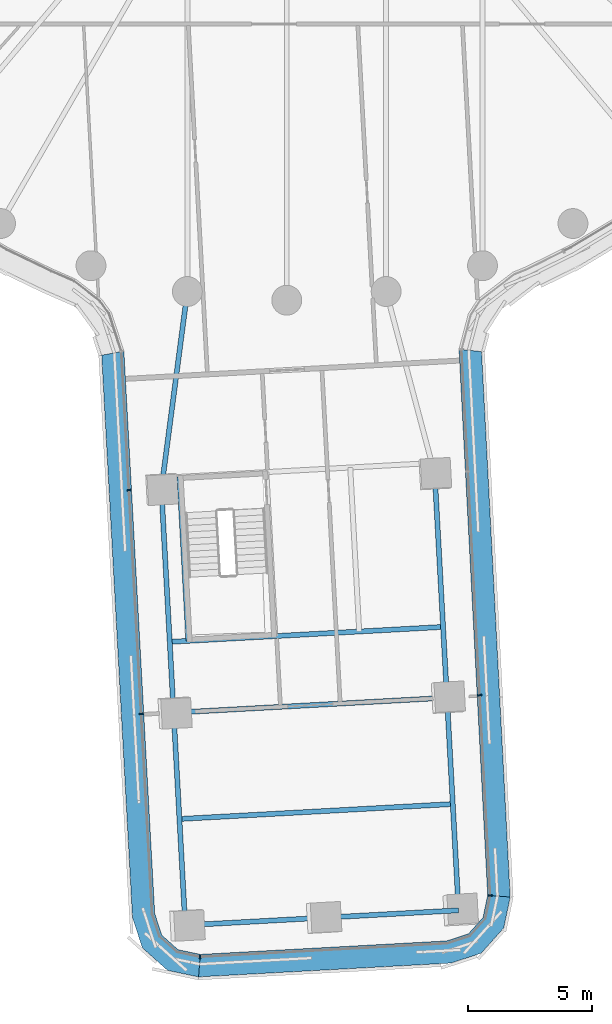
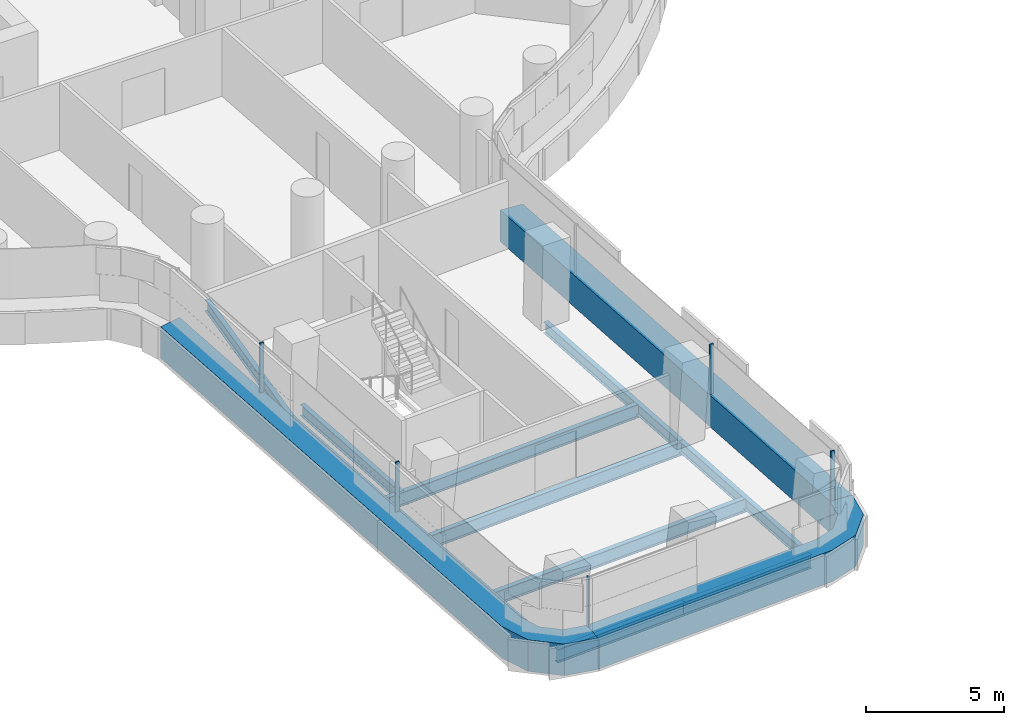
# One storey, part 2 of 31: 11 beams, 8 members, 3 elements without a shape of their own.
"""IFC4 building model written with IfcOpenShell, lengths in metres."""

from ifc_helpers import new_model, si_unit, direction, frame, origin, origin_2d, place, context, subcontext, project, spatial, polyline, rectangle, i_section, outline, extrude, material, layer, layer_set, material_profile, profile_set, type_object, element, aggregate, save


model = new_model("IFC4")

# Units and contexts
model_context = context("Model", 3, precision=1e-05, world=origin(), true_north=direction((0.0, 1.0)))
body_context = subcontext(model_context, "Body", "Model", "MODEL_VIEW")
ifc_project = project(units=[si_unit("LENGTHUNIT", "METRE"), si_unit("AREAUNIT", "SQUARE_METRE"), si_unit("VOLUMEUNIT", "CUBIC_METRE"), si_unit("PLANEANGLEUNIT", "RADIAN"), si_unit("MASSUNIT", "GRAM", prefix="KILO")], contexts=[model_context])

# Site, building, storey
site_placement = place(None, origin())
site = spatial("IfcSite", under=ifc_project, at=site_placement, CompositionType="ELEMENT")
building_placement = place(site_placement, origin())
building = spatial("IfcBuilding", under=site, at=building_placement, Name="Tamarind Cross Interchange Tower", CompositionType="ELEMENT")
storey_placement = place(building_placement, frame((0.0, 0.0, 45.25)))
storey = spatial("IfcBuildingStorey", under=building, at=storey_placement, Name="L09", CompositionType="ELEMENT", Elevation=45.25)

# Beams
ifc_material_1 = material(Name="Steel Q355B", Category="steel")
ifc_material_profile_1 = material_profile(ifc_material_1, i_section(OverallWidth=0.198974609375, OverallDepth=0.49609375, WebThickness=0.009033203125, FlangeThickness=0.013916015625, FilletRadius=0.012939453125, at=origin_2d()), Name="HN 496x199x9x14")
ifc_profile_set_1 = profile_set([ifc_material_profile_1], Name="Steel Q355B")
beam_type_1 = type_object("IfcBeamType", Name="Composite beam HN 496x199x9x14 Q355B", PredefinedType="BEAM", material=ifc_profile_set_1)
beam_1_placement = place(storey_placement, frame((-4.078125, -48.117431640625, -0.387939453125), z_axis=(-0.054676590084, 0.998504116415, 0.0), x_axis=(-0.998504116415, -0.054676590084, 0.0)))
element("IfcBeam", 1, at=beam_1_placement, inside=storey, type_object=beam_type_1, Name="Beam S-edgeem5", PredefinedType="BEAM", context=body_context, shape_type="SweptSolid", body=[
    extrude(i_section(OverallWidth=0.198974609375, OverallDepth=0.49609375, WebThickness=0.009033203125, FlangeThickness=0.013916015625, FilletRadius=0.012939453125, at=origin_2d()), origin(), (0.0, 0.0, 1.0), 8.55517578125),
])
beam_2_placement = place(storey_placement, frame((-4.5458984375, -39.574951171875, -0.387939453125), z_axis=(-0.054660208152, 0.99850501333, 0.0), x_axis=(-0.99850501333, -0.054660208152, 0.0)))
element("IfcBeam", 2, at=beam_2_placement, inside=storey, type_object=beam_type_1, Name="Beam S-edgeem6", PredefinedType="BEAM", context=body_context, shape_type="SweptSolid", body=[
    extrude(i_section(OverallWidth=0.198974609375, OverallDepth=0.49609375, WebThickness=0.009033203125, FlangeThickness=0.013916015625, FilletRadius=0.012939453125, at=origin_2d()), origin(), (0.0, 0.0, 1.0), 9.0),
])
beam_3_placement = place(storey_placement, frame((6.905517578125, -47.51611328125, -0.387939453125), z_axis=(-0.054675032165, 0.998504201723, 0.0), x_axis=(-0.998504201723, -0.054675032165, 0.0)))
element("IfcBeam", 3, at=beam_3_placement, inside=storey, type_object=beam_type_1, Name="Beam S-edgeep2", PredefinedType="BEAM", context=body_context, shape_type="SweptSolid", body=[
    extrude(i_section(OverallWidth=0.198974609375, OverallDepth=0.49609375, WebThickness=0.009033203125, FlangeThickness=0.013916015625, FilletRadius=0.012939453125, at=origin_2d()), origin(), (0.0, 0.0, 1.0), 8.555419921875),
])
beam_4_placement = place(storey_placement, frame((6.437744140625, -38.973388671875, -0.387939453125), z_axis=(-0.054687253698, 0.998503532434, 0.0), x_axis=(-0.998503532434, -0.054687253698, 0.0)))
element("IfcBeam", 4, at=beam_4_placement, inside=storey, type_object=beam_type_1, Name="Beam S-edgeep3", PredefinedType="BEAM", context=body_context, shape_type="SweptSolid", body=[
    extrude(i_section(OverallWidth=0.198974609375, OverallDepth=0.49609375, WebThickness=0.009033203125, FlangeThickness=0.013916015625, FilletRadius=0.012939453125, at=origin_2d()), origin(), (0.0, 0.0, 1.0), 9.0),
])
beam_5_placement = place(storey_placement, frame((-5.037841796875, -30.58837890625, -0.387939453125), z_axis=(0.130393772761, 0.99146228573, 0.0), x_axis=(-0.99146228573, 0.130393772761, 0.0)))
element("IfcBeam", 5, at=beam_5_placement, inside=storey, type_object=beam_type_1, Name="Beam S-linkem", PredefinedType="BEAM", context=body_context, shape_type="SweptSolid", body=[
    extrude(i_section(OverallWidth=0.198974609375, OverallDepth=0.49609375, WebThickness=0.009033203125, FlangeThickness=0.013916015625, FilletRadius=0.012939453125, at=origin_2d()), origin(), (0.0, 0.0, 1.0), 8.006103515625),
])
beam_6_placement = place(storey_placement, frame((-4.313720703125, -30.097900390625, -0.387939453125), z_axis=(0.054673040098, -0.9985043108, 0.0), x_axis=(0.9985043108, 0.054673040098, 0.0)))
element("IfcBeam", 6, at=beam_6_placement, inside=storey, type_object=beam_type_1, Name="Beam S-tr0", PredefinedType="BEAM", context=body_context, shape_type="SweptSolid", body=[
    extrude(i_section(OverallWidth=0.198974609375, OverallDepth=0.49609375, WebThickness=0.009033203125, FlangeThickness=0.013916015625, FilletRadius=0.012939453125, at=origin_2d()), origin(), (0.0, 0.0, 1.0), 6.599853515625),
])
ifc_material_profile_2 = material_profile(ifc_material_1, i_section(OverallWidth=0.199951171875, OverallDepth=0.60009765625, WebThickness=0.010986328125, FlangeThickness=0.01708984375, FilletRadius=0.012939453125, at=origin_2d()), Name="HN 600x200x11x17")
ifc_profile_set_2 = profile_set([ifc_material_profile_2], Name="Steel Q355B")
beam_type_2 = type_object("IfcBeamType", Name="Composite beam HN 600x200x11x17 Q355B", PredefinedType="BEAM", material=ifc_profile_set_2)
beam_7_placement = place(storey_placement, frame((-4.078125, -48.117431640625, -0.43994140625), z_axis=(0.998503613558, 0.054685772478, 0.0), x_axis=(-0.054685772478, 0.998503613558, 0.0)))
element("IfcBeam", 7, at=beam_7_placement, inside=storey, type_object=beam_type_2, Name="Beam S-tip0", PredefinedType="BEAM", context=body_context, shape_type="SweptSolid", body=[
    extrude(i_section(OverallWidth=0.199951171875, OverallDepth=0.60009765625, WebThickness=0.010986328125, FlangeThickness=0.01708984375, FilletRadius=0.012939453125, at=origin_2d()), origin(), (0.0, 0.0, 1.0), 5.500244140625),
])
beam_8_placement = place(storey_placement, frame((1.413818359375, -47.816650390625, -0.43994140625), z_axis=(0.998505903795, 0.054643939165, 0.0), x_axis=(-0.054643939165, 0.998505903795, 0.0)))
element("IfcBeam", 8, at=beam_8_placement, inside=storey, type_object=beam_type_2, Name="Beam S-tip1", PredefinedType="BEAM", context=body_context, shape_type="SweptSolid", body=[
    extrude(i_section(OverallWidth=0.199951171875, OverallDepth=0.60009765625, WebThickness=0.010986328125, FlangeThickness=0.01708984375, FilletRadius=0.012939453125, at=origin_2d()), origin(), (0.0, 0.0, 1.0), 5.5),
])
for number, where, z_axis, x_axis, name in (
    (9, (-4.70166015625, -36.72900390625, -0.43994140625), (0.998504758869, 0.054664856323, 0.0), (-0.054664856323, 0.998504758869, 0.0), "Beam S-x364"),
    (10, (-4.5458984375, -39.574951171875, -0.43994140625), (0.998503547184, 0.05468698438, 0.0), (-0.05468698438, 0.998503547184, 0.0), "Beam S-x393"),
    (11, (-4.31201171875, -43.84619140625, -0.43994140625), (0.998503547184, 0.05468698438, 0.0), (-0.05468698438, 0.998503547184, 0.0), "Beam S-x436"),
):
    element("IfcBeam", number, at=place(storey_placement, frame(where, z_axis=z_axis, x_axis=x_axis)), inside=storey, type_object=beam_type_2, Name=name, PredefinedType="BEAM", context=body_context, shape_type="SweptSolid", body=[
        extrude(i_section(OverallWidth=0.199951171875, OverallDepth=0.60009765625, WebThickness=0.010986328125, FlangeThickness=0.01708984375, FilletRadius=0.012939453125, at=origin_2d()), origin(), (0.0, 0.0, 1.0), 11.0),
    ])

# Curtain wall, member
ifc_material_2 = material(Name="Aluminium 6063-T6", Category="aluminium")
ifc_layer = layer(ifc_material_2, 0.159912109375)
ifc_layer_set = layer_set([ifc_layer], Name="Aluminium 6063-T6")
curtain_wall_type = type_object("IfcCurtainWallType", Name="Office curtain wall, 9.0 m bays", PredefinedType="NOTDEFINED", material=ifc_layer_set)
curtain_wall_1_placement = place(storey_placement, origin())
curtain_wall_1 = element("IfcCurtainWall", 12, at=curtain_wall_1_placement, inside=storey, type_object=curtain_wall_type, Name="CWS-L09-03", PredefinedType="NOTDEFINED")
ifc_material_3 = material(Name="Aluminium and insulated spandrel panel", Category="aluminium")
member_type_1 = type_object("IfcMemberType", Name="Floor-edge blade transom", PredefinedType="USERDEFINED", material=ifc_material_3)
member_1_placement = place(storey_placement, origin())
member_1 = element("IfcMember", 13, at=member_1_placement, type_object=member_type_1, Name="CWT-L09-03", ObjectType="TRANSOM", PredefinedType="USERDEFINED", context=body_context, shape_type="SweptSolid", body=[
    extrude(outline(polyline([(-6.54345703125, -25.04296875), (-5.3056640625, -47.64453125), (-5.020751953125, -48.514404296875), (-4.36962890625, -49.097900390625), (-3.4736328125, -49.2861328125), (-3.542724609375, -50.19140625), (-4.79052734375, -49.92919921875), (-5.801025390625, -49.023681640625), (-6.197998046875, -47.81201171875), (-7.435546875, -25.20947265625), (-6.54345703125, -25.04296875)])), origin(), (0.0, 0.0, 1.0), 1.39990234375),
])

curtain_wall_2_placement = place(storey_placement, origin())
curtain_wall_2 = element("IfcCurtainWall", 14, at=curtain_wall_2_placement, inside=storey, type_object=curtain_wall_type, Name="CWS-L09-04", PredefinedType="NOTDEFINED")
member_2_placement = place(storey_placement, origin())
member_2 = element("IfcMember", 15, at=member_2_placement, type_object=member_type_1, Name="CWT-L09-04", ObjectType="TRANSOM", PredefinedType="USERDEFINED", context=body_context, shape_type="SweptSolid", body=[
    extrude(outline(polyline([(-3.4736328125, -49.2861328125), (6.432373046875, -48.74365234375), (7.30224609375, -48.458740234375), (7.885986328125, -47.8076171875), (8.07421875, -46.911376953125), (8.979248046875, -46.9814453125), (8.71728515625, -48.228515625), (7.811767578125, -49.239013671875), (6.599853515625, -49.635986328125), (-3.542724609375, -50.19140625), (-3.4736328125, -49.2861328125)])), origin(), (0.0, 0.0, 1.0), 1.39990234375),
])

curtain_wall_3_placement = place(storey_placement, origin())
curtain_wall_3 = element("IfcCurtainWall", 16, at=curtain_wall_3_placement, inside=storey, type_object=curtain_wall_type, Name="CWS-L09-05", PredefinedType="NOTDEFINED")
member_3_placement = place(storey_placement, origin())
member_3 = element("IfcMember", 17, at=member_3_placement, type_object=member_type_1, Name="CWT-L09-05", ObjectType="TRANSOM", PredefinedType="USERDEFINED", context=body_context, shape_type="SweptSolid", body=[
    extrude(outline(polyline([(8.07421875, -46.911376953125), (6.921142578125, -24.969970703125), (7.827392578125, -25.063720703125), (8.979248046875, -46.9814453125), (8.07421875, -46.911376953125)])), origin(), (0.0, 0.0, 1.0), 1.39990234375),
])

# Member
ifc_material_profile_3 = material_profile(ifc_material_2, rectangle(XDim=0.06005859375, YDim=0.159912109375, at=origin_2d()), Name="Mullion CW1")
ifc_profile_set_3 = profile_set([ifc_material_profile_3], Name="Aluminium 6063-T6")
member_type_2 = type_object("IfcMemberType", Name="Mullion CW1", PredefinedType="MULLION", material=ifc_profile_set_3)
member_4_placement = place(storey_placement, frame((-6.33740234375, -30.63330078125, 1.39990234375), z_axis=(0.0, 0.0, 1.0), x_axis=(0.054678317891, -0.998504021801, 0.0)))
member_4 = element("IfcMember", 18, at=member_4_placement, type_object=member_type_2, Name="CWM-L09-03-01", PredefinedType="MULLION", context=body_context, shape_type="SweptSolid", body=[
    extrude(rectangle(XDim=0.06005859375, YDim=0.159912109375, at=origin_2d()), origin(), (0.0, 0.0, 1.0), 2.210205078125),
])

member_5_placement = place(storey_placement, frame((-5.84521484375, -39.61962890625, 1.39990234375), z_axis=(0.0, 0.0, 1.0), x_axis=(0.054678317891, -0.998504021801, 0.0)))
member_5 = element("IfcMember", 19, at=member_5_placement, type_object=member_type_2, Name="CWM-L09-03-02", PredefinedType="MULLION", context=body_context, shape_type="SweptSolid", body=[
    extrude(rectangle(XDim=0.06005859375, YDim=0.159912109375, at=origin_2d()), origin(), (0.0, 0.0, 1.0), 2.210205078125),
])

aggregate(curtain_wall_1, [member_4, member_5, member_1])

member_6_placement = place(storey_placement, frame((-3.4814453125, -49.38671875, 1.39990234375), z_axis=(0.0, 0.0, 1.0), x_axis=(0.997098634107, -0.07612039058, 0.0)))
member_6 = element("IfcMember", 20, at=member_6_placement, type_object=member_type_2, Name="CWM-L09-04-00", PredefinedType="MULLION", context=body_context, shape_type="SweptSolid", body=[
    extrude(rectangle(XDim=0.06005859375, YDim=0.159912109375, at=origin_2d()), origin(), (0.0, 0.0, 1.0), 2.210205078125),
])

aggregate(curtain_wall_2, [member_6, member_2])

member_7_placement = place(storey_placement, frame((8.1748046875, -46.919189453125, 1.39990234375), z_axis=(0.0, 0.0, 1.0), x_axis=(0.077218938957, 0.997014160113, 0.0)))
member_7 = element("IfcMember", 21, at=member_7_placement, type_object=member_type_2, Name="CWM-L09-05-00", PredefinedType="MULLION", context=body_context, shape_type="SweptSolid", body=[
    extrude(rectangle(XDim=0.06005859375, YDim=0.159912109375, at=origin_2d()), origin(), (0.0, 0.0, 1.0), 2.210205078125),
])

member_8_placement = place(storey_placement, frame((7.751953125, -38.873046875, 1.39990234375), z_axis=(0.0, 0.0, 1.0), x_axis=(-0.052477900426, 0.998622085659, 0.0)))
member_8 = element("IfcMember", 22, at=member_8_placement, type_object=member_type_2, Name="CWM-L09-05-01", PredefinedType="MULLION", context=body_context, shape_type="SweptSolid", body=[
    extrude(rectangle(XDim=0.06005859375, YDim=0.159912109375, at=origin_2d()), origin(), (0.0, 0.0, 1.0), 2.210205078125),
])

aggregate(curtain_wall_3, [member_7, member_8, member_3])

save(model, "model.ifc")
